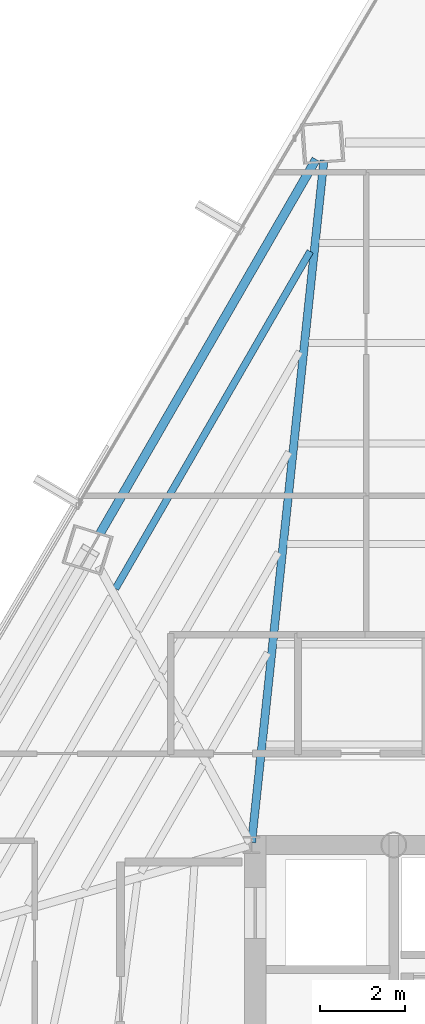
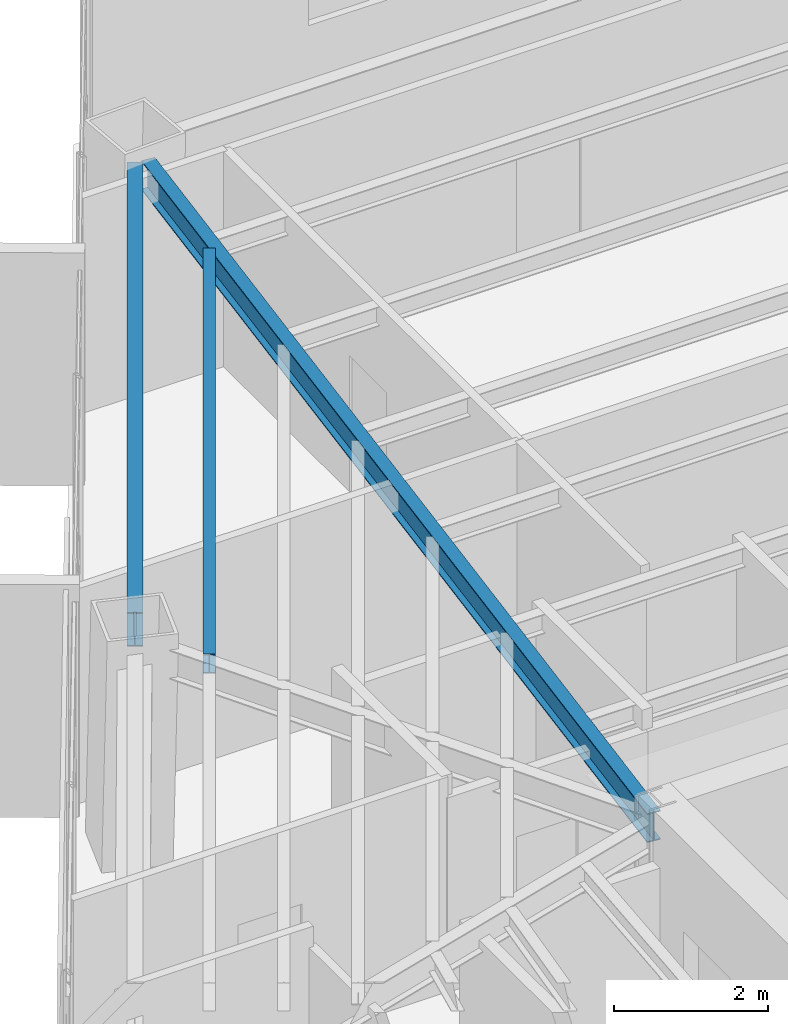
# One storey, part 27 of 41: 3 beams.
"""IFC4 building model written with IfcOpenShell, lengths in metres."""

from ifc_helpers import new_model, si_unit, direction, frame, origin, origin_2d, place, context, subcontext, project, spatial, i_section, extrude, source, transform, mapped, material, material_profile, profile_set, type_object, type_shapes, element, save


model = new_model("IFC4")

# Units and contexts
model_context = context("Model", 3, precision=1e-05, world=origin(), true_north=direction((0.0, 1.0)))
body_context = subcontext(model_context, "Body", "Model", "MODEL_VIEW")
ifc_project = project(units=[si_unit("LENGTHUNIT", "METRE"), si_unit("AREAUNIT", "SQUARE_METRE"), si_unit("VOLUMEUNIT", "CUBIC_METRE"), si_unit("PLANEANGLEUNIT", "RADIAN"), si_unit("MASSUNIT", "GRAM", prefix="KILO")], contexts=[model_context])

# Site, building, storey
site_placement = place(None, origin())
site = spatial("IfcSite", under=ifc_project, at=site_placement, CompositionType="ELEMENT")
building_placement = place(site_placement, origin())
building = spatial("IfcBuilding", under=site, at=building_placement, Name="Caelisora Broadcast Tower", CompositionType="ELEMENT")
storey_placement = place(building_placement, frame((0.0, 0.0, 173.10009765625)))
storey = spatial("IfcBuildingStorey", under=building, at=storey_placement, Name="L45", CompositionType="ELEMENT", Elevation=173.10009765625)

# Beams
ifc_material = material(Name="Steel Grade 350 (AS/NZS 3679.1)", Category="steel")
ifc_material_profile_1 = material_profile(ifc_material, i_section(OverallWidth=0.208984375, OverallDepth=0.532958984375, WebThickness=0.01025390625, FlangeThickness=0.015625, at=origin_2d()), Name="Steel Grade 350 (AS/NZS 3679.1)")
ifc_profile_set_1 = profile_set([ifc_material_profile_1], Name="Steel Grade 350 (AS/NZS 3679.1)")
beam_type_1 = type_object("IfcBeamType", Name="PG05", PredefinedType="BEAM", material=ifc_profile_set_1)
shared_shape_1 = source(origin(), body_context, "Body", "SweptSolid", [
    extrude(i_section(OverallWidth=0.208984375, OverallDepth=0.532958984375, WebThickness=0.01025390625, FlangeThickness=0.015625, at=origin_2d()), origin(), (0.0, 0.0, 1.0), 10.173828125),
])
type_shapes(beam_type_1, [shared_shape_1])
beam_1_placement = place(storey_placement, frame((32.021240234375, 46.135986328125, 3.13330078125), z_axis=(-0.50000011042, -0.866025340034, 0.0), x_axis=(0.866025340034, -0.50000011042, 0.0)))
element("IfcBeam", 1, at=beam_1_placement, inside=storey, type_object=beam_type_1, Name="L45 beam PG05", PredefinedType="BEAM", context=body_context, shape_type="MappedRepresentation", body=[
    mapped(shared_shape_1, transform((0.0, 0.0, 0.0), scale=1.0)),
])
ifc_material_profile_2 = material_profile(ifc_material, i_section(OverallWidth=0.19091796875, OverallDepth=0.46044921875, WebThickness=0.010009765625, FlangeThickness=0.01611328125, at=origin_2d()), Name="Steel Grade 350 (AS/NZS 3679.1)")
ifc_profile_set_2 = profile_set([ifc_material_profile_2], Name="Steel Grade 350 (AS/NZS 3679.1)")
beam_type_2 = type_object("IfcBeamType", Name="PG06", PredefinedType="BEAM", material=ifc_profile_set_2)
shared_shape_2 = source(origin(), body_context, "Body", "SweptSolid", [
    extrude(i_section(OverallWidth=0.19091796875, OverallDepth=0.46044921875, WebThickness=0.010009765625, FlangeThickness=0.01611328125, at=origin_2d()), origin(), (0.0, 0.0, 1.0), 16.146728515625),
])
type_shapes(beam_type_2, [shared_shape_2])
beam_2_placement = place(storey_placement, frame((30.50634765625, 30.059814453125, 3.169677734375), z_axis=(0.105327017269, 0.994437639791, 0.0), x_axis=(-0.994437639791, 0.105327017269, 0.0)))
element("IfcBeam", 2, at=beam_2_placement, inside=storey, type_object=beam_type_2, Name="L45 beam PG06", PredefinedType="BEAM", context=body_context, shape_type="MappedRepresentation", body=[
    mapped(shared_shape_2, transform((0.0, 0.0, 0.0), scale=1.0)),
])
ifc_material_profile_3 = material_profile(ifc_material, i_section(OverallWidth=0.166015625, OverallDepth=0.30712890625, WebThickness=0.006591796875, FlangeThickness=0.01171875, at=origin_2d()), Name="Steel Grade 350 (AS/NZS 3679.1)")
ifc_profile_set_3 = profile_set([ifc_material_profile_3], Name="Steel Grade 350 (AS/NZS 3679.1)")
beam_type_3 = type_object("IfcBeamType", Name="SB03", PredefinedType="JOIST", material=ifc_profile_set_3)
shared_shape_3 = source(origin(), body_context, "Body", "SweptSolid", [
    extrude(i_section(OverallWidth=0.166015625, OverallDepth=0.30712890625, WebThickness=0.006591796875, FlangeThickness=0.01171875, at=origin_2d()), origin(), (0.0, 0.0, 1.0), 9.168212890625),
])
type_shapes(beam_type_3, [shared_shape_3])
beam_3_placement = place(storey_placement, frame((31.885009765625, 43.97119140625, 3.246337890625), z_axis=(-0.500008279101, -0.866020623791, 0.0), x_axis=(0.866020623791, -0.500008279101, 0.0)))
element("IfcBeam", 3, at=beam_3_placement, inside=storey, type_object=beam_type_3, Name="L45 beam SB03", PredefinedType="JOIST", context=body_context, shape_type="MappedRepresentation", body=[
    mapped(shared_shape_3, transform((0.0, 0.0, 0.0), scale=1.0)),
])

save(model, "model.ifc")
